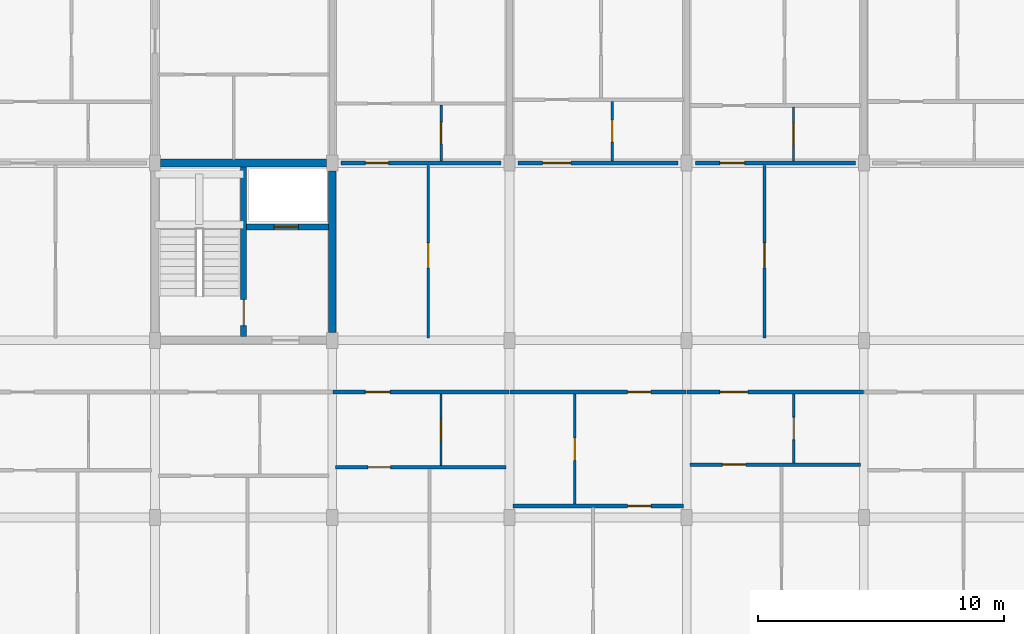
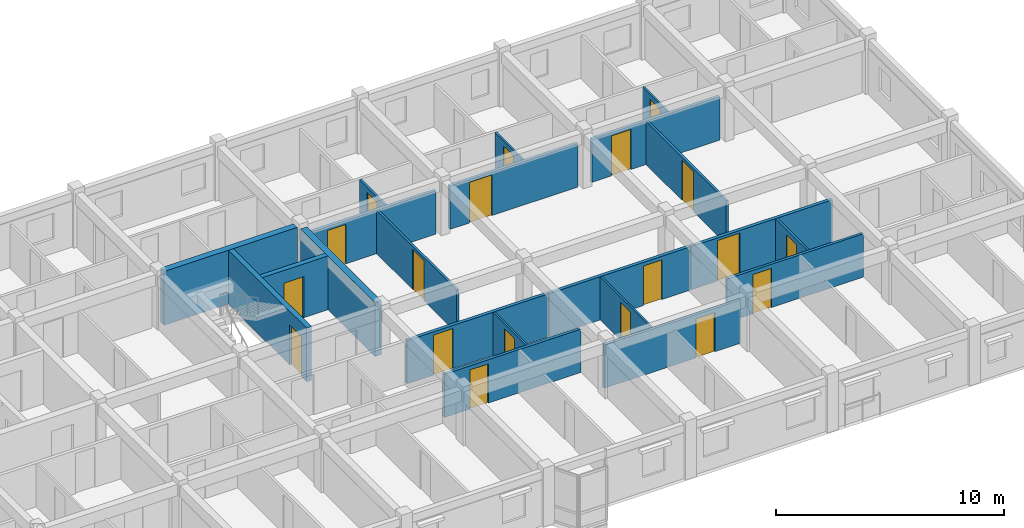
# One storey, part 63 of 75: 21 walls, 19 doors, 19 openings.
"""IFC4 building model written with IfcOpenShell, lengths in metres."""

from ifc_helpers import new_model, si_unit, direction, frame, frame_2d, origin, place, context, subcontext, project, spatial, rectangle, extrude, material, layer, layer_set, type_object, element, fill, save


model = new_model("IFC4")

# Units and contexts
model_context = context("Model", 3, precision=1e-05, world=origin(), true_north=direction((0.0, 1.0)))
body_context = subcontext(model_context, "Body", "Model", "MODEL_VIEW")
ifc_project = project(units=[si_unit("LENGTHUNIT", "METRE"), si_unit("AREAUNIT", "SQUARE_METRE"), si_unit("VOLUMEUNIT", "CUBIC_METRE"), si_unit("PLANEANGLEUNIT", "RADIAN"), si_unit("MASSUNIT", "GRAM", prefix="KILO"), si_unit("THERMODYNAMICTEMPERATUREUNIT", "KELVIN"), si_unit("POWERUNIT", "WATT")], contexts=[model_context])

# Site, building, storey
site_placement = place(None, origin())
site = spatial("IfcSite", under=ifc_project, at=site_placement, CompositionType="ELEMENT")
building_placement = place(site_placement, origin())
building = spatial("IfcBuilding", under=site, at=building_placement, Name="Tavuni Mirador Residences", CompositionType="ELEMENT")
storey_placement = place(building_placement, frame((0.0, 0.0, 20.25)))
storey = spatial("IfcBuildingStorey", under=building, at=storey_placement, Name="L06", CompositionType="ELEMENT", Elevation=20.25)

# Wall, opening, door
ifc_material_1 = material(Name="Precast concrete C40/50", Category="concrete")
ifc_layer_1 = layer(ifc_material_1, 0.25, Name="Precast concrete C40/50", Category="concrete")
ifc_layer_set_1 = layer_set([ifc_layer_1], Name="Precast concrete C40/50")
wall_type_1 = type_object("IfcWallType", Name="WT-COR250", PredefinedType="SHEAR", material=ifc_layer_set_1)
wall_1_placement = place(storey_placement, frame((43.199951171875, 158.56005859375, 0.0), z_axis=(0.0, 0.0, 1.0), x_axis=(0.0, 1.0, 0.0)))
wall_1 = element("IfcWall", 1, at=wall_1_placement, inside=storey, type_object=wall_type_1, Name="CWALL-C6-L06-MID", PredefinedType="SHEAR", context=body_context, shape_type="SweptSolid", body=[
    extrude(rectangle(XDim=6.8798828125, YDim=0.25, at=frame_2d((3.43994140625, 0.0))), origin(), (0.0, 0.0, 1.0), 2.885009765625),
])
opening_1_placement = place(wall_1_placement, frame((0.43994140625, 0.0, 0.0)))
opening_1 = element("IfcOpeningElement", 2, at=opening_1_placement, cuts=wall_1, Name="Opening D-01", PredefinedType="OPENING", context=body_context, shape_type="SweptSolid", body=[
    extrude(rectangle(XDim=1.050048828125, YDim=2.14990234375, at=frame_2d((0.52490234375, 1.074951171875))), frame((0.0, 0.135009765625, 0.0), z_axis=(0.0, -1.0, 0.0), x_axis=(1.0, 0.0, 0.0)), (0.0, 0.0, 1.0), 0.27001953125),
])
ifc_material_2 = material(Name="Solid core iroko timber", Category="wood")
door_type_1 = type_object("IfcDoorType", Name="DT-ST1050", OperationType="NOTDEFINED", PredefinedType="DOOR", material=ifc_material_2)
door_1_placement = place(opening_1_placement, origin())
door_1 = element("IfcDoor", 3, at=door_1_placement, inside=storey, type_object=door_type_1, Name="DR-2238", OperationType="SINGLE_SWING_RIGHT", OverallHeight=2.14990234375, OverallWidth=1.050048828125, PredefinedType="DOOR", context=body_context, shape_type="SweptSolid", body=[
    extrude(rectangle(XDim=1.050048828125, YDim=2.14990234375, at=frame_2d((0.52490234375, 1.074951171875))), frame((0.0, 0.02490234375, 0.0), z_axis=(0.0, -1.0, 0.0), x_axis=(1.0, 0.0, 0.0)), (0.0, 0.0, 1.0), 0.050048828125),
])
fill(opening_1, door_1)

wall_2_placement = place(storey_placement, frame((43.324951171875, 163.0, 0.0), z_axis=(0.0, 0.0, 1.0), x_axis=(1.0, 0.0, 0.0)))
wall_2 = element("IfcWall", 4, at=wall_2_placement, inside=storey, type_object=wall_type_1, Name="CWALL-C6-L06-SHF", PredefinedType="SHEAR", context=body_context, shape_type="SweptSolid", body=[
    extrude(rectangle(XDim=3.31494140625, YDim=0.25, at=frame_2d((1.657470703125, 0.0))), origin(), (0.0, 0.0, 1.0), 2.885009765625),
])
opening_2_placement = place(wall_2_placement, frame((1.10009765625, 0.0, 0.0)))
opening_2 = element("IfcOpeningElement", 5, at=opening_2_placement, cuts=wall_2, Name="Opening LD-02", PredefinedType="OPENING", context=body_context, shape_type="SweptSolid", body=[
    extrude(rectangle(XDim=1.0, YDim=2.199951171875, at=frame_2d((0.5, 1.10009765625))), frame((0.0, 0.135009765625, 0.0), z_axis=(0.0, -1.0, 0.0), x_axis=(1.0, 0.0, 0.0)), (0.0, 0.0, 1.0), 0.27001953125),
])
ifc_material_3 = material(Name="Structural steel S355", Category="steel")
door_type_2 = type_object("IfcDoorType", Name="DT-LD-PAX", OperationType="SLIDING_TO_LEFT", PredefinedType="DOOR", material=ifc_material_3)
door_2_placement = place(opening_2_placement, origin())
door_2 = element("IfcDoor", 6, at=door_2_placement, inside=storey, type_object=door_type_2, Name="Lift landing door PL-C1 L06", OperationType="SLIDING_TO_LEFT", OverallHeight=2.199951171875, OverallWidth=1.0, PredefinedType="DOOR", context=body_context, shape_type="SweptSolid", body=[
    extrude(rectangle(XDim=1.0, YDim=2.199951171875, at=frame_2d((0.5, 1.10009765625))), frame((0.0, 0.02490234375, 0.0), z_axis=(0.0, -1.0, 0.0), x_axis=(1.0, 0.0, 0.0)), (0.0, 0.0, 1.0), 0.050048828125),
])
fill(opening_2, door_2)

# Walls
ifc_layer_2 = layer(ifc_material_1, 0.320068359375, Name="Precast concrete C40/50", Category="concrete")
ifc_layer_set_2 = layer_set([ifc_layer_2], Name="Precast concrete C40/50")
wall_type_2 = type_object("IfcWallType", Name="WT-COR320", PredefinedType="SHEAR", material=ifc_layer_set_2)
wall_3_placement = place(storey_placement, frame((39.824951171875, 165.60009765625, 0.0), z_axis=(0.0, 0.0, 1.0), x_axis=(1.0, 0.0, 0.0)))
element("IfcWall", 7, at=wall_3_placement, inside=storey, type_object=wall_type_2, Name="CWALL-C6-L06-N", PredefinedType="SHEAR", context=body_context, shape_type="SweptSolid", body=[
    extrude(rectangle(XDim=6.75, YDim=0.320068359375, at=frame_2d((3.375, 0.0))), origin(), (0.0, 0.0, 1.0), 2.885009765625),
])
wall_4_placement = place(storey_placement, frame((46.800048828125, 158.72509765625, 0.0), z_axis=(0.0, 0.0, 1.0), x_axis=(0.0, 1.0, 0.0)))
element("IfcWall", 8, at=wall_4_placement, inside=storey, type_object=wall_type_2, Name="CWALL-C6-L06-E", PredefinedType="SHEAR", context=body_context, shape_type="SweptSolid", body=[
    extrude(rectangle(XDim=6.5498046875, YDim=0.320068359375, at=frame_2d((3.27490234375, 0.0))), origin(), (0.0, 0.0, 1.0), 2.885009765625),
])

# Wall, opening, door
ifc_layer_3 = layer(ifc_material_1, 0.1650390625, Name="Precast concrete C40/50", Category="concrete")
ifc_layer_set_3 = layer_set([ifc_layer_3], Name="Precast concrete C40/50")
wall_type_3 = type_object("IfcWallType", Name="WT-CORR165", PredefinedType="PARTITIONING", material=ifc_layer_set_3)
wall_5_placement = place(storey_placement, frame((46.820068359375, 156.300048828125, 0.0), z_axis=(0.0, 0.0, 1.0), x_axis=(1.0, 0.0, 0.0)))
wall_5 = element("IfcWall", 9, at=wall_5_placement, inside=storey, type_object=wall_type_3, Name="CORW-BLK-C-L06-0-05", PredefinedType="PARTITIONING", context=body_context, shape_type="SweptSolid", body=[
    extrude(rectangle(XDim=7.159912109375, YDim=0.1650390625, at=frame_2d((3.580078125, 0.0))), origin(), (0.0, 0.0, 1.0), 2.320068359375),
])
opening_3_placement = place(wall_5_placement, frame((1.330078125, 0.0, 0.0)))
opening_3 = element("IfcOpeningElement", 10, at=opening_3_placement, cuts=wall_5, Name="Opening D-03", PredefinedType="OPENING", context=body_context, shape_type="SweptSolid", body=[
    extrude(rectangle(XDim=1.0, YDim=2.14990234375, at=frame_2d((0.5, 1.074951171875))), frame((0.0, 0.092529296875, 0.0), z_axis=(0.0, -1.0, 0.0), x_axis=(1.0, 0.0, 0.0)), (0.0, 0.0, 1.0), 0.18505859375),
])
door_type_3 = type_object("IfcDoorType", Name="DT-FD60-1000", OperationType="NOTDEFINED", PredefinedType="DOOR", material=ifc_material_2)
door_3_placement = place(opening_3_placement, origin())
door_3 = element("IfcDoor", 11, at=door_3_placement, inside=storey, type_object=door_type_3, Name="DR-2712", OperationType="SINGLE_SWING_LEFT", OverallHeight=2.14990234375, OverallWidth=1.0, PredefinedType="DOOR", context=body_context, shape_type="SweptSolid", body=[
    extrude(rectangle(XDim=1.0, YDim=2.14990234375, at=frame_2d((0.5, 1.074951171875))), frame((0.0, 0.02490234375, 0.0), z_axis=(0.0, -1.0, 0.0), x_axis=(1.0, 0.0, 0.0)), (0.0, 0.0, 1.0), 0.050048828125),
])
fill(opening_3, door_3)

wall_6_placement = place(storey_placement, frame((54.02001953125, 156.300048828125, 0.0), z_axis=(0.0, 0.0, 1.0), x_axis=(1.0, 0.0, 0.0)))
wall_6 = element("IfcWall", 12, at=wall_6_placement, inside=storey, type_object=wall_type_3, Name="CORW-BLK-C-L06-0-06", PredefinedType="PARTITIONING", context=body_context, shape_type="SweptSolid", body=[
    extrude(rectangle(XDim=7.159912109375, YDim=0.1650390625, at=frame_2d((3.580078125, 0.0))), origin(), (0.0, 0.0, 1.0), 2.320068359375),
])
opening_4_placement = place(wall_6_placement, frame((4.780029296875, 0.0, 0.0)))
opening_4 = element("IfcOpeningElement", 13, at=opening_4_placement, cuts=wall_6, Name="Opening D-19", PredefinedType="OPENING", context=body_context, shape_type="SweptSolid", body=[
    extrude(rectangle(XDim=0.93994140625, YDim=2.1201171875, at=frame_2d((0.469970703125, 1.06005859375))), frame((0.0, 0.092529296875, 0.0), z_axis=(0.0, -1.0, 0.0), x_axis=(1.0, 0.0, 0.0)), (0.0, 0.0, 1.0), 0.18505859375),
])
door_type_4 = type_object("IfcDoorType", Name="DT-FD60-940", OperationType="NOTDEFINED", PredefinedType="DOOR", material=ifc_material_2)
door_4_placement = place(opening_4_placement, origin())
door_4 = element("IfcDoor", 14, at=door_4_placement, inside=storey, type_object=door_type_4, Name="DR-2713", OperationType="SINGLE_SWING_RIGHT", OverallHeight=2.1201171875, OverallWidth=0.93994140625, PredefinedType="DOOR", context=body_context, shape_type="SweptSolid", body=[
    extrude(rectangle(XDim=0.93994140625, YDim=2.1201171875, at=frame_2d((0.469970703125, 1.06005859375))), frame((0.0, 0.02490234375, 0.0), z_axis=(0.0, -1.0, 0.0), x_axis=(1.0, 0.0, 0.0)), (0.0, 0.0, 1.0), 0.050048828125),
])
fill(opening_4, door_4)

wall_7_placement = place(storey_placement, frame((61.219970703125, 156.300048828125, 0.0), z_axis=(0.0, 0.0, 1.0), x_axis=(1.0, 0.0, 0.0)))
wall_7 = element("IfcWall", 15, at=wall_7_placement, inside=storey, type_object=wall_type_3, Name="CORW-BLK-C-L06-0-07", PredefinedType="PARTITIONING", context=body_context, shape_type="SweptSolid", body=[
    extrude(rectangle(XDim=7.159912109375, YDim=0.1650390625, at=frame_2d((3.580078125, 0.0))), origin(), (0.0, 0.0, 1.0), 2.320068359375),
])
opening_5_placement = place(wall_7_placement, frame((1.330078125, 0.0, 0.0)))
opening_5 = element("IfcOpeningElement", 16, at=opening_5_placement, cuts=wall_7, Name="Opening D-20", PredefinedType="OPENING", context=body_context, shape_type="SweptSolid", body=[
    extrude(rectangle(XDim=1.139892578125, YDim=2.179931640625, at=frame_2d((0.56982421875, 1.08984375))), frame((0.0, 0.092529296875, 0.0), z_axis=(0.0, -1.0, 0.0), x_axis=(1.0, 0.0, 0.0)), (0.0, 0.0, 1.0), 0.18505859375),
])
door_type_5 = type_object("IfcDoorType", Name="DT-FD60-1140", OperationType="NOTDEFINED", PredefinedType="DOOR", material=ifc_material_2)
door_5_placement = place(opening_5_placement, origin())
door_5 = element("IfcDoor", 17, at=door_5_placement, inside=storey, type_object=door_type_5, Name="DR-2714", OperationType="SINGLE_SWING_LEFT", OverallHeight=2.179931640625, OverallWidth=1.139892578125, PredefinedType="DOOR", context=body_context, shape_type="SweptSolid", body=[
    extrude(rectangle(XDim=1.139892578125, YDim=2.179931640625, at=frame_2d((0.56982421875, 1.08984375))), frame((0.0, 0.02490234375, 0.0), z_axis=(0.0, -1.0, 0.0), x_axis=(1.0, 0.0, 0.0)), (0.0, 0.0, 1.0), 0.050048828125),
])
fill(opening_5, door_5)

wall_8_placement = place(storey_placement, frame((47.14990234375, 165.60009765625, 0.0), z_axis=(0.0, 0.0, 1.0), x_axis=(1.0, 0.0, 0.0)))
wall_8 = element("IfcWall", 18, at=wall_8_placement, inside=storey, type_object=wall_type_3, Name="CORW-BLK-C-L06-1-05", PredefinedType="PARTITIONING", context=body_context, shape_type="SweptSolid", body=[
    extrude(rectangle(XDim=6.5, YDim=0.1650390625, at=frame_2d((3.25, 0.0))), origin(), (0.0, 0.0, 1.0), 2.320068359375),
])
opening_6_placement = place(wall_8_placement, frame((1.0, 0.0, 0.0)))
opening_6 = element("IfcOpeningElement", 19, at=opening_6_placement, cuts=wall_8, Name="Opening D-19", PredefinedType="OPENING", context=body_context, shape_type="SweptSolid", body=[
    extrude(rectangle(XDim=0.93994140625, YDim=2.1201171875, at=frame_2d((0.469970703125, 1.06005859375))), frame((0.0, 0.092529296875, 0.0), z_axis=(0.0, -1.0, 0.0), x_axis=(1.0, 0.0, 0.0)), (0.0, 0.0, 1.0), 0.18505859375),
])
door_6_placement = place(opening_6_placement, origin())
door_6 = element("IfcDoor", 20, at=door_6_placement, inside=storey, type_object=door_type_4, Name="DR-2719", OperationType="SINGLE_SWING_RIGHT", OverallHeight=2.1201171875, OverallWidth=0.93994140625, PredefinedType="DOOR", context=body_context, shape_type="SweptSolid", body=[
    extrude(rectangle(XDim=0.93994140625, YDim=2.1201171875, at=frame_2d((0.469970703125, 1.06005859375))), frame((0.0, 0.02490234375, 0.0), z_axis=(0.0, -1.0, 0.0), x_axis=(1.0, 0.0, 0.0)), (0.0, 0.0, 1.0), 0.050048828125),
])
fill(opening_6, door_6)

wall_9_placement = place(storey_placement, frame((54.35009765625, 165.60009765625, 0.0), z_axis=(0.0, 0.0, 1.0), x_axis=(1.0, 0.0, 0.0)))
wall_9 = element("IfcWall", 21, at=wall_9_placement, inside=storey, type_object=wall_type_3, Name="CORW-BLK-C-L06-1-06", PredefinedType="PARTITIONING", context=body_context, shape_type="SweptSolid", body=[
    extrude(rectangle(XDim=6.5, YDim=0.1650390625, at=frame_2d((3.25, 0.0))), origin(), (0.0, 0.0, 1.0), 2.320068359375),
])
opening_7_placement = place(wall_9_placement, frame((1.0, 0.0, 0.0)))
opening_7 = element("IfcOpeningElement", 22, at=opening_7_placement, cuts=wall_9, Name="Opening D-20", PredefinedType="OPENING", context=body_context, shape_type="SweptSolid", body=[
    extrude(rectangle(XDim=1.139892578125, YDim=2.179931640625, at=frame_2d((0.56982421875, 1.08984375))), frame((0.0, 0.092529296875, 0.0), z_axis=(0.0, -1.0, 0.0), x_axis=(1.0, 0.0, 0.0)), (0.0, 0.0, 1.0), 0.18505859375),
])
door_7_placement = place(opening_7_placement, origin())
door_7 = element("IfcDoor", 23, at=door_7_placement, inside=storey, type_object=door_type_5, Name="DR-2720", OperationType="SINGLE_SWING_LEFT", OverallHeight=2.179931640625, OverallWidth=1.139892578125, PredefinedType="DOOR", context=body_context, shape_type="SweptSolid", body=[
    extrude(rectangle(XDim=1.139892578125, YDim=2.179931640625, at=frame_2d((0.56982421875, 1.08984375))), frame((0.0, 0.02490234375, 0.0), z_axis=(0.0, -1.0, 0.0), x_axis=(1.0, 0.0, 0.0)), (0.0, 0.0, 1.0), 0.050048828125),
])
fill(opening_7, door_7)

wall_10_placement = place(storey_placement, frame((61.550048828125, 165.60009765625, 0.0), z_axis=(0.0, 0.0, 1.0), x_axis=(1.0, 0.0, 0.0)))
wall_10 = element("IfcWall", 24, at=wall_10_placement, inside=storey, type_object=wall_type_3, Name="CORW-BLK-C-L06-1-07", PredefinedType="PARTITIONING", context=body_context, shape_type="SweptSolid", body=[
    extrude(rectangle(XDim=6.5, YDim=0.1650390625, at=frame_2d((3.25, 0.0))), origin(), (0.0, 0.0, 1.0), 2.320068359375),
])
opening_8_placement = place(wall_10_placement, frame((1.0, 0.0, 0.0)))
opening_8 = element("IfcOpeningElement", 25, at=opening_8_placement, cuts=wall_10, Name="Opening D-03", PredefinedType="OPENING", context=body_context, shape_type="SweptSolid", body=[
    extrude(rectangle(XDim=1.0, YDim=2.14990234375, at=frame_2d((0.5, 1.074951171875))), frame((0.0, 0.092529296875, 0.0), z_axis=(0.0, -1.0, 0.0), x_axis=(1.0, 0.0, 0.0)), (0.0, 0.0, 1.0), 0.18505859375),
])
door_8_placement = place(opening_8_placement, origin())
door_8 = element("IfcDoor", 26, at=door_8_placement, inside=storey, type_object=door_type_3, Name="DR-2721", OperationType="SINGLE_SWING_RIGHT", OverallHeight=2.14990234375, OverallWidth=1.0, PredefinedType="DOOR", context=body_context, shape_type="SweptSolid", body=[
    extrude(rectangle(XDim=1.0, YDim=2.14990234375, at=frame_2d((0.5, 1.074951171875))), frame((0.0, 0.02490234375, 0.0), z_axis=(0.0, -1.0, 0.0), x_axis=(1.0, 0.0, 0.0)), (0.0, 0.0, 1.0), 0.050048828125),
])
fill(opening_8, door_8)

ifc_material_4 = material(Name="Acoustic gypsum and concrete block partition", Category="concrete")
ifc_layer_4 = layer(ifc_material_4, 0.094970703125, Name="Acoustic gypsum and concrete block partition", Category="concrete")
ifc_layer_set_4 = layer_set([ifc_layer_4], Name="Acoustic gypsum and concrete block partition")
wall_type_4 = type_object("IfcWallType", Name="WT-PART095", PredefinedType="PARTITIONING", material=ifc_layer_set_4)
wall_11_placement = place(storey_placement, frame((51.219970703125, 153.31005859375, 0.0), z_axis=(0.0, 0.0, 1.0), x_axis=(0.0, 1.0, 0.0)))
wall_11 = element("IfcWall", 27, at=wall_11_placement, inside=storey, type_object=wall_type_4, Name="PW-BLK-C-L06-S05-IN1", PredefinedType="PARTITIONING", context=body_context, shape_type="SweptSolid", body=[
    extrude(rectangle(XDim=2.89990234375, YDim=0.094970703125, at=frame_2d((1.449951171875, 0.0))), origin(), (0.0, 0.0, 1.0), 2.320068359375),
])
opening_9_placement = place(wall_11_placement, frame((1.014892578125, 0.0, 0.0)))
opening_9 = element("IfcOpeningElement", 28, at=opening_9_placement, cuts=wall_11, Name="Opening D-10", PredefinedType="OPENING", context=body_context, shape_type="SweptSolid", body=[
    extrude(rectangle(XDim=0.8701171875, YDim=2.050048828125, at=frame_2d((0.43505859375, 1.02490234375))), frame((0.0, 0.0576171875, 0.0), z_axis=(0.0, -1.0, 0.0), x_axis=(1.0, 0.0, 0.0)), (0.0, 0.0, 1.0), 0.114990234375),
])
door_type_6 = type_object("IfcDoorType", Name="DT-WC870", OperationType="NOTDEFINED", PredefinedType="DOOR", material=ifc_material_2)
door_9_placement = place(opening_9_placement, origin())
door_9 = element("IfcDoor", 29, at=door_9_placement, inside=storey, type_object=door_type_6, Name="DR-3993", OperationType="SINGLE_SWING_RIGHT", OverallHeight=2.050048828125, OverallWidth=0.8701171875, PredefinedType="DOOR", context=body_context, shape_type="SweptSolid", body=[
    extrude(rectangle(XDim=0.8701171875, YDim=2.050048828125, at=frame_2d((0.43505859375, 1.02490234375))), frame((0.0, 0.02490234375, 0.0), z_axis=(0.0, -1.0, 0.0), x_axis=(1.0, 0.0, 0.0)), (0.0, 0.0, 1.0), 0.050048828125),
])
fill(opening_9, door_9)

wall_12_placement = place(storey_placement, frame((56.64990234375, 151.739990234375, 0.0), z_axis=(0.0, 0.0, 1.0), x_axis=(0.0, 1.0, 0.0)))
wall_12 = element("IfcWall", 30, at=wall_12_placement, inside=storey, type_object=wall_type_4, Name="PW-BLK-C-L06-S06-IN1", PredefinedType="PARTITIONING", context=body_context, shape_type="SweptSolid", body=[
    extrude(rectangle(XDim=4.469970703125, YDim=0.094970703125, at=frame_2d((2.23486328125, 0.0))), origin(), (0.0, 0.0, 1.0), 2.320068359375),
])
opening_10_placement = place(wall_12_placement, frame((1.784912109375, 0.0, 0.0)))
opening_10 = element("IfcOpeningElement", 31, at=opening_10_placement, cuts=wall_12, Name="Opening D-09", PredefinedType="OPENING", context=body_context, shape_type="SweptSolid", body=[
    extrude(rectangle(XDim=0.89990234375, YDim=2.050048828125, at=frame_2d((0.449951171875, 1.02490234375))), frame((0.0, 0.0576171875, 0.0), z_axis=(0.0, -1.0, 0.0), x_axis=(1.0, 0.0, 0.0)), (0.0, 0.0, 1.0), 0.114990234375),
])
door_type_7 = type_object("IfcDoorType", Name="DT-WC900", OperationType="NOTDEFINED", PredefinedType="DOOR", material=ifc_material_2)
door_10_placement = place(opening_10_placement, origin())
door_10 = element("IfcDoor", 32, at=door_10_placement, inside=storey, type_object=door_type_7, Name="DR-3999", OperationType="SINGLE_SWING_LEFT", OverallHeight=2.050048828125, OverallWidth=0.89990234375, PredefinedType="DOOR", context=body_context, shape_type="SweptSolid", body=[
    extrude(rectangle(XDim=0.89990234375, YDim=2.050048828125, at=frame_2d((0.449951171875, 1.02490234375))), frame((0.0, 0.02490234375, 0.0), z_axis=(0.0, -1.0, 0.0), x_axis=(1.0, 0.0, 0.0)), (0.0, 0.0, 1.0), 0.050048828125),
])
fill(opening_10, door_10)

wall_13_placement = place(storey_placement, frame((65.5400390625, 165.68994140625, 0.0), z_axis=(0.0, 0.0, 1.0), x_axis=(0.0, 1.0, 0.0)))
wall_13 = element("IfcWall", 33, at=wall_13_placement, inside=storey, type_object=wall_type_4, Name="PW-BLK-C-L06-N07-IN1", PredefinedType="PARTITIONING", context=body_context, shape_type="SweptSolid", body=[
    extrude(rectangle(XDim=2.18017578125, YDim=0.094970703125, at=frame_2d((1.090087890625, 0.0))), origin(), (0.0, 0.0, 1.0), 2.320068359375),
])
opening_11_placement = place(wall_13_placement, frame((0.655029296875, 0.0, 0.0)))
opening_11 = element("IfcOpeningElement", 34, at=opening_11_placement, cuts=wall_13, Name="Opening D-10", PredefinedType="OPENING", context=body_context, shape_type="SweptSolid", body=[
    extrude(rectangle(XDim=0.8701171875, YDim=2.050048828125, at=frame_2d((0.43505859375, 1.02490234375))), frame((0.0, 0.0576171875, 0.0), z_axis=(0.0, -1.0, 0.0), x_axis=(1.0, 0.0, 0.0)), (0.0, 0.0, 1.0), 0.114990234375),
])
door_11_placement = place(opening_11_placement, origin())
door_11 = element("IfcDoor", 35, at=door_11_placement, inside=storey, type_object=door_type_6, Name="DR-4009", OperationType="SINGLE_SWING_RIGHT", OverallHeight=2.050048828125, OverallWidth=0.8701171875, PredefinedType="DOOR", context=body_context, shape_type="SweptSolid", body=[
    extrude(rectangle(XDim=0.8701171875, YDim=2.050048828125, at=frame_2d((0.43505859375, 1.02490234375))), frame((0.0, 0.02490234375, 0.0), z_axis=(0.0, -1.0, 0.0), x_axis=(1.0, 0.0, 0.0)), (0.0, 0.0, 1.0), 0.050048828125),
])
fill(opening_11, door_11)

ifc_layer_5 = layer(ifc_material_4, 0.10498046875, Name="Acoustic gypsum and concrete block partition", Category="concrete")
ifc_layer_set_5 = layer_set([ifc_layer_5], Name="Acoustic gypsum and concrete block partition")
wall_type_5 = type_object("IfcWallType", Name="WT-PART105", PredefinedType="PARTITIONING", material=ifc_layer_set_5)
wall_14_placement = place(storey_placement, frame((51.219970703125, 165.68994140625, 0.0), z_axis=(0.0, 0.0, 1.0), x_axis=(0.0, 1.0, 0.0)))
wall_14 = element("IfcWall", 36, at=wall_14_placement, inside=storey, type_object=wall_type_5, Name="PW-BLK-C-L06-N05-IN1", PredefinedType="PARTITIONING", context=body_context, shape_type="SweptSolid", body=[
    extrude(rectangle(XDim=2.260009765625, YDim=0.10498046875, at=frame_2d((1.1298828125, 0.0))), origin(), (0.0, 0.0, 1.0), 2.320068359375),
])
opening_12_placement = place(wall_14_placement, frame((0.695068359375, 0.0, 0.0)))
opening_12 = element("IfcOpeningElement", 37, at=opening_12_placement, cuts=wall_14, Name="Opening D-10", PredefinedType="OPENING", context=body_context, shape_type="SweptSolid", body=[
    extrude(rectangle(XDim=0.8701171875, YDim=2.050048828125, at=frame_2d((0.43505859375, 1.02490234375))), frame((0.0, 0.0625, 0.0), z_axis=(0.0, -1.0, 0.0), x_axis=(1.0, 0.0, 0.0)), (0.0, 0.0, 1.0), 0.125),
])
door_12_placement = place(opening_12_placement, origin())
door_12 = element("IfcDoor", 38, at=door_12_placement, inside=storey, type_object=door_type_6, Name="DR-3996", OperationType="SINGLE_SWING_RIGHT", OverallHeight=2.050048828125, OverallWidth=0.8701171875, PredefinedType="DOOR", context=body_context, shape_type="SweptSolid", body=[
    extrude(rectangle(XDim=0.8701171875, YDim=2.050048828125, at=frame_2d((0.43505859375, 1.02490234375))), frame((0.0, 0.02490234375, 0.0), z_axis=(0.0, -1.0, 0.0), x_axis=(1.0, 0.0, 0.0)), (0.0, 0.0, 1.0), 0.050048828125),
])
fill(opening_12, door_12)

wall_15_placement = place(storey_placement, frame((58.179931640625, 165.68994140625, 0.0), z_axis=(0.0, 0.0, 1.0), x_axis=(0.0, 1.0, 0.0)))
wall_15 = element("IfcWall", 39, at=wall_15_placement, inside=storey, type_object=wall_type_5, Name="PW-BLK-C-L06-N06-IN1", PredefinedType="PARTITIONING", context=body_context, shape_type="SweptSolid", body=[
    extrude(rectangle(XDim=2.420166015625, YDim=0.10498046875, at=frame_2d((1.2099609375, 0.0))), origin(), (0.0, 0.0, 1.0), 2.320068359375),
])
opening_13_placement = place(wall_15_placement, frame((0.760009765625, 0.0, 0.0)))
opening_13 = element("IfcOpeningElement", 40, at=opening_13_placement, cuts=wall_15, Name="Opening D-09", PredefinedType="OPENING", context=body_context, shape_type="SweptSolid", body=[
    extrude(rectangle(XDim=0.89990234375, YDim=2.050048828125, at=frame_2d((0.449951171875, 1.02490234375))), frame((0.0, 0.0625, 0.0), z_axis=(0.0, -1.0, 0.0), x_axis=(1.0, 0.0, 0.0)), (0.0, 0.0, 1.0), 0.125),
])
door_13_placement = place(opening_13_placement, origin())
door_13 = element("IfcDoor", 41, at=door_13_placement, inside=storey, type_object=door_type_7, Name="DR-4002", OperationType="SINGLE_SWING_LEFT", OverallHeight=2.050048828125, OverallWidth=0.89990234375, PredefinedType="DOOR", context=body_context, shape_type="SweptSolid", body=[
    extrude(rectangle(XDim=0.89990234375, YDim=2.050048828125, at=frame_2d((0.449951171875, 1.02490234375))), frame((0.0, 0.02490234375, 0.0), z_axis=(0.0, -1.0, 0.0), x_axis=(1.0, 0.0, 0.0)), (0.0, 0.0, 1.0), 0.050048828125),
])
fill(opening_13, door_13)

wall_16_placement = place(storey_placement, frame((65.550048828125, 153.419921875, 0.0), z_axis=(0.0, 0.0, 1.0), x_axis=(0.0, 1.0, 0.0)))
wall_16 = element("IfcWall", 42, at=wall_16_placement, inside=storey, type_object=wall_type_5, Name="PW-BLK-C-L06-S07-IN1", PredefinedType="PARTITIONING", context=body_context, shape_type="SweptSolid", body=[
    extrude(rectangle(XDim=2.7900390625, YDim=0.10498046875, at=frame_2d((1.39501953125, 0.0))), origin(), (0.0, 0.0, 1.0), 2.320068359375),
])
opening_14_placement = place(wall_16_placement, frame((0.945068359375, 0.0, 0.0)))
opening_14 = element("IfcOpeningElement", 43, at=opening_14_placement, cuts=wall_16, Name="Opening D-09", PredefinedType="OPENING", context=body_context, shape_type="SweptSolid", body=[
    extrude(rectangle(XDim=0.89990234375, YDim=2.050048828125, at=frame_2d((0.449951171875, 1.02490234375))), frame((0.0, 0.0625, 0.0), z_axis=(0.0, -1.0, 0.0), x_axis=(1.0, 0.0, 0.0)), (0.0, 0.0, 1.0), 0.125),
])
door_14_placement = place(opening_14_placement, origin())
door_14 = element("IfcDoor", 44, at=door_14_placement, inside=storey, type_object=door_type_7, Name="DR-4006", OperationType="SINGLE_SWING_LEFT", OverallHeight=2.050048828125, OverallWidth=0.89990234375, PredefinedType="DOOR", context=body_context, shape_type="SweptSolid", body=[
    extrude(rectangle(XDim=0.89990234375, YDim=2.050048828125, at=frame_2d((0.449951171875, 1.02490234375))), frame((0.0, 0.02490234375, 0.0), z_axis=(0.0, -1.0, 0.0), x_axis=(1.0, 0.0, 0.0)), (0.0, 0.0, 1.0), 0.050048828125),
])
fill(opening_14, door_14)

ifc_layer_6 = layer(ifc_material_4, 0.114990234375, Name="Acoustic gypsum and concrete block partition", Category="concrete")
ifc_layer_set_6 = layer_set([ifc_layer_6], Name="Acoustic gypsum and concrete block partition")
wall_type_6 = type_object("IfcWallType", Name="WT-PART115", PredefinedType="PARTITIONING", material=ifc_layer_set_6)
wall_17_placement = place(storey_placement, frame((50.699951171875, 158.489990234375, 0.0), z_axis=(0.0, 0.0, 1.0), x_axis=(0.0, 1.0, 0.0)))
wall_17 = element("IfcWall", 45, at=wall_17_placement, inside=storey, type_object=wall_type_6, Name="PW-SPN-BLK-C-L06-05", PredefinedType="PARTITIONING", context=body_context, shape_type="SweptSolid", body=[
    extrude(rectangle(XDim=7.02001953125, YDim=0.114990234375, at=frame_2d((3.510009765625, 0.0))), origin(), (0.0, 0.0, 1.0), 2.320068359375),
])
opening_15_placement = place(wall_17_placement, frame((2.85009765625, 0.0, 0.0)))
opening_15 = element("IfcOpeningElement", 46, at=opening_15_placement, cuts=wall_17, Name="Opening D-13", PredefinedType="OPENING", context=body_context, shape_type="SweptSolid", body=[
    extrude(rectangle(XDim=1.02001953125, YDim=2.14990234375, at=frame_2d((0.510009765625, 1.074951171875))), frame((0.0, 0.0673828125, 0.0), z_axis=(0.0, -1.0, 0.0), x_axis=(1.0, 0.0, 0.0)), (0.0, 0.0, 1.0), 0.135009765625),
])
door_type_8 = type_object("IfcDoorType", Name="DT-MTG1020", OperationType="NOTDEFINED", PredefinedType="DOOR", material=ifc_material_2)
door_15_placement = place(opening_15_placement, origin())
door_15 = element("IfcDoor", 47, at=door_15_placement, inside=storey, type_object=door_type_8, Name="DR-3991", OperationType="SINGLE_SWING_RIGHT", OverallHeight=2.14990234375, OverallWidth=1.02001953125, PredefinedType="DOOR", context=body_context, shape_type="SweptSolid", body=[
    extrude(rectangle(XDim=1.02001953125, YDim=2.14990234375, at=frame_2d((0.510009765625, 1.074951171875))), frame((0.0, 0.02490234375, 0.0), z_axis=(0.0, -1.0, 0.0), x_axis=(1.0, 0.0, 0.0)), (0.0, 0.0, 1.0), 0.050048828125),
])
fill(opening_15, door_15)

ifc_layer_7 = layer(ifc_material_4, 0.125, Name="Acoustic gypsum and concrete block partition", Category="concrete")
ifc_layer_set_7 = layer_set([ifc_layer_7], Name="Acoustic gypsum and concrete block partition")
wall_type_7 = type_object("IfcWallType", Name="WT-PART125", PredefinedType="PARTITIONING", material=ifc_layer_set_7)
wall_18_placement = place(storey_placement, frame((64.360107421875, 158.489990234375, 0.0), z_axis=(0.0, 0.0, 1.0), x_axis=(0.0, 1.0, 0.0)))
wall_18 = element("IfcWall", 48, at=wall_18_placement, inside=storey, type_object=wall_type_7, Name="PW-SPN-BLK-C-L06-07", PredefinedType="PARTITIONING", context=body_context, shape_type="SweptSolid", body=[
    extrude(rectangle(XDim=7.02001953125, YDim=0.125, at=frame_2d((3.510009765625, 0.0))), origin(), (0.0, 0.0, 1.0), 2.320068359375),
])
opening_16_placement = place(wall_18_placement, frame((2.85009765625, 0.0, 0.0)))
opening_16 = element("IfcOpeningElement", 49, at=opening_16_placement, cuts=wall_18, Name="Opening D-13", PredefinedType="OPENING", context=body_context, shape_type="SweptSolid", body=[
    extrude(rectangle(XDim=1.02001953125, YDim=2.14990234375, at=frame_2d((0.510009765625, 1.074951171875))), frame((0.0, 0.072509765625, 0.0), z_axis=(0.0, -1.0, 0.0), x_axis=(1.0, 0.0, 0.0)), (0.0, 0.0, 1.0), 0.14501953125),
])
door_16_placement = place(opening_16_placement, origin())
door_16 = element("IfcDoor", 50, at=door_16_placement, inside=storey, type_object=door_type_8, Name="DR-4004", OperationType="SINGLE_SWING_RIGHT", OverallHeight=2.14990234375, OverallWidth=1.02001953125, PredefinedType="DOOR", context=body_context, shape_type="SweptSolid", body=[
    extrude(rectangle(XDim=1.02001953125, YDim=2.14990234375, at=frame_2d((0.510009765625, 1.074951171875))), frame((0.0, 0.02490234375, 0.0), z_axis=(0.0, -1.0, 0.0), x_axis=(1.0, 0.0, 0.0)), (0.0, 0.0, 1.0), 0.050048828125),
])
fill(opening_16, door_16)

ifc_layer_8 = layer(ifc_material_4, 0.139892578125, Name="Acoustic gypsum and concrete block partition", Category="concrete")
ifc_layer_set_8 = layer_set([ifc_layer_8], Name="Acoustic gypsum and concrete block partition")
wall_type_8 = type_object("IfcWallType", Name="WT-PART140", PredefinedType="PARTITIONING", material=ifc_layer_set_8)
wall_19_placement = place(storey_placement, frame((61.340087890625, 153.35009765625, 0.0), z_axis=(0.0, 0.0, 1.0), x_axis=(1.0, 0.0, 0.0)))
wall_19 = element("IfcWall", 51, at=wall_19_placement, inside=storey, type_object=wall_type_8, Name="PW-BLK-C-L06-S07-MID", PredefinedType="PARTITIONING", context=body_context, shape_type="SweptSolid", body=[
    extrude(rectangle(XDim=6.919921875, YDim=0.139892578125, at=frame_2d((3.4599609375, 0.0))), origin(), (0.0, 0.0, 1.0), 2.320068359375),
])
opening_17_placement = place(wall_19_placement, frame((1.31005859375, 0.0, 0.0)))
opening_17 = element("IfcOpeningElement", 52, at=opening_17_placement, cuts=wall_19, Name="Opening D-05", PredefinedType="OPENING", context=body_context, shape_type="SweptSolid", body=[
    extrude(rectangle(XDim=0.949951171875, YDim=2.10009765625, at=frame_2d((0.47509765625, 1.050048828125))), frame((0.0, 0.080078125, 0.0), z_axis=(0.0, -1.0, 0.0), x_axis=(1.0, 0.0, 0.0)), (0.0, 0.0, 1.0), 0.159912109375),
])
door_type_9 = type_object("IfcDoorType", Name="DT-INT950", OperationType="NOTDEFINED", PredefinedType="DOOR", material=ifc_material_2)
door_17_placement = place(opening_17_placement, origin())
door_17 = element("IfcDoor", 53, at=door_17_placement, inside=storey, type_object=door_type_9, Name="DR-4007", OperationType="SINGLE_SWING_LEFT", OverallHeight=2.10009765625, OverallWidth=0.949951171875, PredefinedType="DOOR", context=body_context, shape_type="SweptSolid", body=[
    extrude(rectangle(XDim=0.949951171875, YDim=2.10009765625, at=frame_2d((0.47509765625, 1.050048828125))), frame((0.0, 0.02490234375, 0.0), z_axis=(0.0, -1.0, 0.0), x_axis=(1.0, 0.0, 0.0)), (0.0, 0.0, 1.0), 0.050048828125),
])
fill(opening_17, door_17)

ifc_layer_9 = layer(ifc_material_4, 0.14990234375, Name="Acoustic gypsum and concrete block partition", Category="concrete")
ifc_layer_set_9 = layer_set([ifc_layer_9], Name="Acoustic gypsum and concrete block partition")
wall_type_9 = type_object("IfcWallType", Name="WT-PART150", PredefinedType="PARTITIONING", material=ifc_layer_set_9)
wall_20_placement = place(storey_placement, frame((46.93994140625, 153.239990234375, 0.0), z_axis=(0.0, 0.0, 1.0), x_axis=(1.0, 0.0, 0.0)))
wall_20 = element("IfcWall", 54, at=wall_20_placement, inside=storey, type_object=wall_type_9, Name="PW-BLK-C-L06-S05-MID", PredefinedType="PARTITIONING", context=body_context, shape_type="SweptSolid", body=[
    extrude(rectangle(XDim=6.920166015625, YDim=0.14990234375, at=frame_2d((3.4599609375, 0.0))), origin(), (0.0, 0.0, 1.0), 2.320068359375),
])
opening_18_placement = place(wall_20_placement, frame((1.31005859375, 0.0, 0.0)))
opening_18 = element("IfcOpeningElement", 55, at=opening_18_placement, cuts=wall_20, Name="Opening D-06", PredefinedType="OPENING", context=body_context, shape_type="SweptSolid", body=[
    extrude(rectangle(XDim=0.919921875, YDim=2.10009765625, at=frame_2d((0.4599609375, 1.050048828125))), frame((0.0, 0.0849609375, 0.0), z_axis=(0.0, -1.0, 0.0), x_axis=(1.0, 0.0, 0.0)), (0.0, 0.0, 1.0), 0.169921875),
])
door_type_10 = type_object("IfcDoorType", Name="DT-INT920", OperationType="NOTDEFINED", PredefinedType="DOOR", material=ifc_material_2)
door_18_placement = place(opening_18_placement, origin())
door_18 = element("IfcDoor", 56, at=door_18_placement, inside=storey, type_object=door_type_10, Name="DR-3994", OperationType="SINGLE_SWING_RIGHT", OverallHeight=2.10009765625, OverallWidth=0.919921875, PredefinedType="DOOR", context=body_context, shape_type="SweptSolid", body=[
    extrude(rectangle(XDim=0.919921875, YDim=2.10009765625, at=frame_2d((0.4599609375, 1.050048828125))), frame((0.0, 0.02490234375, 0.0), z_axis=(0.0, -1.0, 0.0), x_axis=(1.0, 0.0, 0.0)), (0.0, 0.0, 1.0), 0.050048828125),
])
fill(opening_18, door_18)

wall_21_placement = place(storey_placement, frame((54.139892578125, 151.669921875, 0.0), z_axis=(0.0, 0.0, 1.0), x_axis=(1.0, 0.0, 0.0)))
wall_21 = element("IfcWall", 57, at=wall_21_placement, inside=storey, type_object=wall_type_9, Name="PW-BLK-C-L06-S06-MID", PredefinedType="PARTITIONING", context=body_context, shape_type="SweptSolid", body=[
    extrude(rectangle(XDim=6.920166015625, YDim=0.14990234375, at=frame_2d((3.4599609375, 0.0))), origin(), (0.0, 0.0, 1.0), 2.320068359375),
])
opening_19_placement = place(wall_21_placement, frame((4.659912109375, 0.0, 0.0)))
opening_19 = element("IfcOpeningElement", 58, at=opening_19_placement, cuts=wall_21, Name="Opening D-05", PredefinedType="OPENING", context=body_context, shape_type="SweptSolid", body=[
    extrude(rectangle(XDim=0.949951171875, YDim=2.10009765625, at=frame_2d((0.47509765625, 1.050048828125))), frame((0.0, 0.0849609375, 0.0), z_axis=(0.0, -1.0, 0.0), x_axis=(1.0, 0.0, 0.0)), (0.0, 0.0, 1.0), 0.169921875),
])
door_19_placement = place(opening_19_placement, origin())
door_19 = element("IfcDoor", 59, at=door_19_placement, inside=storey, type_object=door_type_9, Name="DR-4000", OperationType="SINGLE_SWING_LEFT", OverallHeight=2.10009765625, OverallWidth=0.949951171875, PredefinedType="DOOR", context=body_context, shape_type="SweptSolid", body=[
    extrude(rectangle(XDim=0.949951171875, YDim=2.10009765625, at=frame_2d((0.47509765625, 1.050048828125))), frame((0.0, 0.02490234375, 0.0), z_axis=(0.0, -1.0, 0.0), x_axis=(1.0, 0.0, 0.0)), (0.0, 0.0, 1.0), 0.050048828125),
])
fill(opening_19, door_19)

save(model, "model.ifc")
